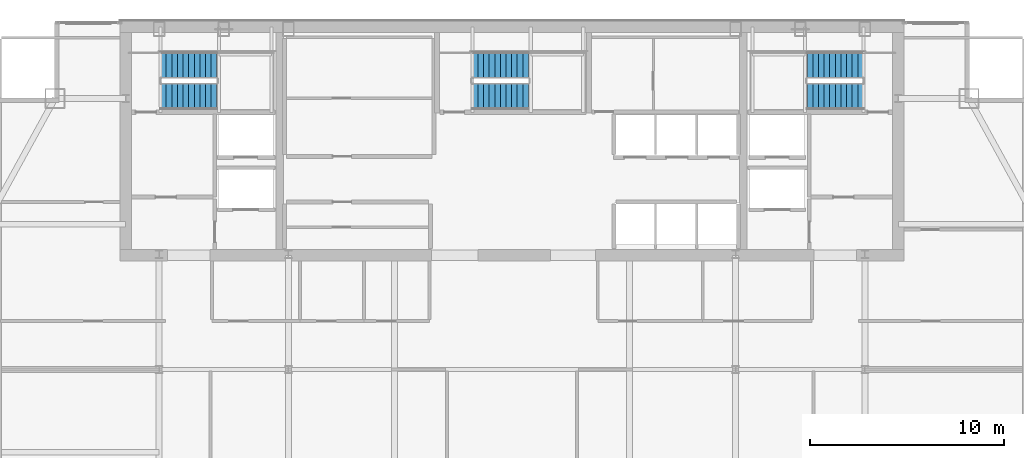
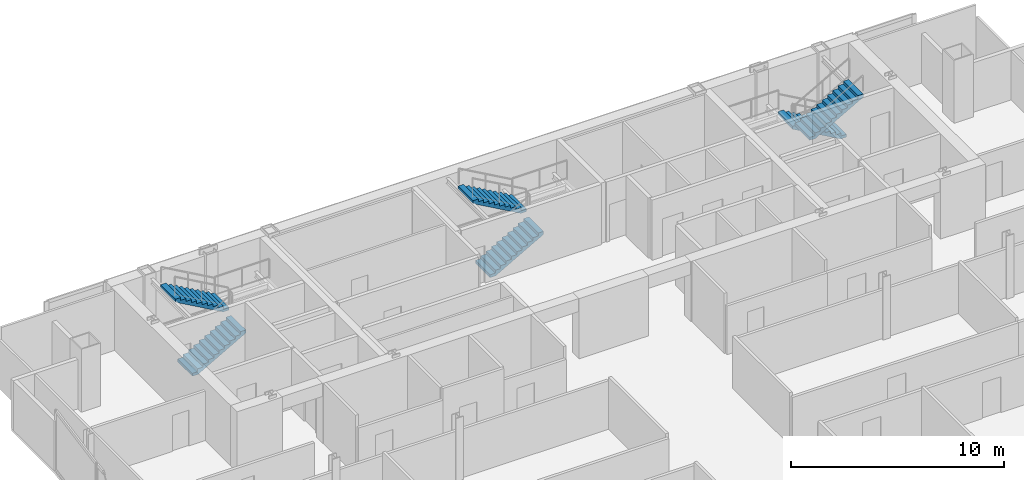
# One storey, part 27 of 29: 6 stair flights, 3 elements without a shape of their own.
"""IFC4 building model written with IfcOpenShell, lengths in metres."""

from ifc_helpers import new_model, si_unit, direction, frame, origin, place, context, subcontext, project, spatial, polyline, outline, extrude, material, type_object, element, aggregate, save


model = new_model("IFC4")

# Units and contexts
model_context = context("Model", 3, precision=1e-05, world=origin(), true_north=direction((0.0, 1.0)))
body_context = subcontext(model_context, "Body", "Model", "MODEL_VIEW")
ifc_project = project(units=[si_unit("LENGTHUNIT", "METRE"), si_unit("AREAUNIT", "SQUARE_METRE"), si_unit("VOLUMEUNIT", "CUBIC_METRE"), si_unit("PLANEANGLEUNIT", "RADIAN"), si_unit("MASSUNIT", "GRAM", prefix="KILO")], contexts=[model_context])

# Site, building, storey
site_placement = place(None, origin())
site = spatial("IfcSite", under=ifc_project, at=site_placement, CompositionType="ELEMENT")
building_placement = place(site_placement, origin())
building = spatial("IfcBuilding", under=site, at=building_placement, Name="Khoronbel Lancet Exchange", CompositionType="ELEMENT")
storey_placement = place(building_placement, frame((0.0, 0.0, 246.199951171875)))
storey = spatial("IfcBuildingStorey", under=building, at=storey_placement, Name="L63", CompositionType="ELEMENT", Elevation=246.199951171875)

# Stair, stair flights
ifc_material = material(Name="Concrete C40/50", Category="concrete")
stair_type = type_object("IfcStairType", Name="STR-CORE150", PredefinedType="HALF_TURN_STAIR", material=ifc_material)
stair_1_placement = place(storey_placement, origin())
stair_1 = element("IfcStair", 1, at=stair_1_placement, inside=storey, type_object=stair_type, Name="L63 Protected Exit Stair ST1", PredefinedType="HALF_TURN_STAIR")
stair_flight_type = type_object("IfcStairFlightType", Name="STF-150", PredefinedType="STRAIGHT", material=ifc_material)
stair_flight_1_placement = place(storey_placement, frame((18.300048828125, 49.81005859375, 0.0), z_axis=(0.0, 0.0, 1.0), x_axis=(1.0, 0.0, 0.0)))
stair_flight_1 = element("IfcStairFlight", 2, at=stair_flight_1_placement, type_object=stair_flight_type, Name="ST1 flight 1", NumberOfRisers=11, NumberOfTreads=10, PredefinedType="STRAIGHT", RiserHeight=0.163636364, TreadLength=0.29, context=body_context, shape_type="SweptSolid", body=[
    extrude(outline(polyline([(0.0, 0.0), (0.0, 0.16357421875), (0.2900390625, 0.16357421875), (0.2900390625, 0.327392578125), (0.580078125, 0.327392578125), (0.580078125, 0.490966796875), (0.8701171875, 0.490966796875), (0.8701171875, 0.654541015625), (1.159912109375, 0.654541015625), (1.159912109375, 0.818115234375), (1.449951171875, 0.818115234375), (1.449951171875, 0.98193359375), (1.739990234375, 0.98193359375), (1.739990234375, 1.1455078125), (2.030029296875, 1.1455078125), (2.030029296875, 1.30908203125), (2.320068359375, 1.30908203125), (2.320068359375, 1.47265625), (2.610107421875, 1.47265625), (2.610107421875, 1.636474609375), (2.89990234375, 1.636474609375), (2.89990234375, 1.800048828125), (2.89990234375, 1.46435546875), (0.304931640625, 0.0), (0.0, 0.0)])), frame((0.0, 0.68994140625, 0.0), z_axis=(0.0, -1.0, 0.0), x_axis=(1.0, 0.0, 0.0)), (0.0, 0.0, 1.0), 1.3798828125),
])
stair_flight_2_placement = place(storey_placement, frame((21.199951171875, 51.409912109375, 1.800048828125), z_axis=(0.0, 0.0, 1.0), x_axis=(-1.0, 0.0, 0.0)))
stair_flight_2 = element("IfcStairFlight", 3, at=stair_flight_2_placement, type_object=stair_flight_type, Name="ST1 flight 2", NumberOfRisers=11, NumberOfTreads=10, PredefinedType="STRAIGHT", RiserHeight=0.163636364, TreadLength=0.29, context=body_context, shape_type="SweptSolid", body=[
    extrude(outline(polyline([(0.0, 0.0), (0.0, 0.16357421875), (0.2900390625, 0.16357421875), (0.2900390625, 0.327392578125), (0.580078125, 0.327392578125), (0.580078125, 0.490966796875), (0.8701171875, 0.490966796875), (0.8701171875, 0.654541015625), (1.159912109375, 0.654541015625), (1.159912109375, 0.818115234375), (1.449951171875, 0.818115234375), (1.449951171875, 0.98193359375), (1.739990234375, 0.98193359375), (1.739990234375, 1.1455078125), (2.030029296875, 1.1455078125), (2.030029296875, 1.30908203125), (2.320068359375, 1.30908203125), (2.320068359375, 1.47265625), (2.610107421875, 1.47265625), (2.610107421875, 1.636474609375), (2.89990234375, 1.636474609375), (2.89990234375, 1.800048828125), (2.89990234375, 1.46435546875), (0.304931640625, 0.0), (0.0, 0.0)])), frame((0.0, 0.68994140625, 0.0), z_axis=(0.0, -1.0, 0.0), x_axis=(1.0, 0.0, 0.0)), (0.0, 0.0, 1.0), 1.3798828125),
])
aggregate(stair_1, [stair_flight_1, stair_flight_2])

stair_2_placement = place(storey_placement, origin())
stair_2 = element("IfcStair", 4, at=stair_2_placement, inside=storey, type_object=stair_type, Name="L63 Protected Exit Stair ST2", PredefinedType="HALF_TURN_STAIR")
stair_flight_3_placement = place(storey_placement, frame((54.60009765625, 51.409912109375, 0.0), z_axis=(0.0, 0.0, 1.0), x_axis=(-1.0, 0.0, 0.0)))
stair_flight_3 = element("IfcStairFlight", 5, at=stair_flight_3_placement, type_object=stair_flight_type, Name="ST2 flight 1", NumberOfRisers=11, NumberOfTreads=10, PredefinedType="STRAIGHT", RiserHeight=0.163636364, TreadLength=0.29, context=body_context, shape_type="SweptSolid", body=[
    extrude(outline(polyline([(0.0, 0.0), (0.0, 0.16357421875), (0.2900390625, 0.16357421875), (0.2900390625, 0.327392578125), (0.580078125, 0.327392578125), (0.580078125, 0.490966796875), (0.8701171875, 0.490966796875), (0.8701171875, 0.654541015625), (1.159912109375, 0.654541015625), (1.159912109375, 0.818115234375), (1.449951171875, 0.818115234375), (1.449951171875, 0.98193359375), (1.739990234375, 0.98193359375), (1.739990234375, 1.1455078125), (2.030029296875, 1.1455078125), (2.030029296875, 1.30908203125), (2.320068359375, 1.30908203125), (2.320068359375, 1.47265625), (2.610107421875, 1.47265625), (2.610107421875, 1.636474609375), (2.89990234375, 1.636474609375), (2.89990234375, 1.800048828125), (2.89990234375, 1.46435546875), (0.304931640625, 0.0), (0.0, 0.0)])), frame((0.0, 0.68994140625, 0.0), z_axis=(0.0, -1.0, 0.0), x_axis=(1.0, 0.0, 0.0)), (0.0, 0.0, 1.0), 1.3798828125),
])
stair_flight_4_placement = place(storey_placement, frame((51.699951171875, 49.81005859375, 1.800048828125), z_axis=(0.0, 0.0, 1.0), x_axis=(1.0, 0.0, 0.0)))
stair_flight_4 = element("IfcStairFlight", 6, at=stair_flight_4_placement, type_object=stair_flight_type, Name="ST2 flight 2", NumberOfRisers=11, NumberOfTreads=10, PredefinedType="STRAIGHT", RiserHeight=0.163636364, TreadLength=0.29, context=body_context, shape_type="SweptSolid", body=[
    extrude(outline(polyline([(0.0, 0.0), (0.0, 0.16357421875), (0.2900390625, 0.16357421875), (0.2900390625, 0.327392578125), (0.580078125, 0.327392578125), (0.580078125, 0.490966796875), (0.8701171875, 0.490966796875), (0.8701171875, 0.654541015625), (1.159912109375, 0.654541015625), (1.159912109375, 0.818115234375), (1.449951171875, 0.818115234375), (1.449951171875, 0.98193359375), (1.739990234375, 0.98193359375), (1.739990234375, 1.1455078125), (2.030029296875, 1.1455078125), (2.030029296875, 1.30908203125), (2.320068359375, 1.30908203125), (2.320068359375, 1.47265625), (2.610107421875, 1.47265625), (2.610107421875, 1.636474609375), (2.89990234375, 1.636474609375), (2.89990234375, 1.800048828125), (2.89990234375, 1.46435546875), (0.304931640625, 0.0), (0.0, 0.0)])), frame((0.0, 0.68994140625, 0.0), z_axis=(0.0, -1.0, 0.0), x_axis=(1.0, 0.0, 0.0)), (0.0, 0.0, 1.0), 1.3798828125),
])
aggregate(stair_2, [stair_flight_3, stair_flight_4])

stair_3_placement = place(storey_placement, origin())
stair_3 = element("IfcStair", 7, at=stair_3_placement, inside=storey, type_object=stair_type, Name="L63 Protected Exit Stair ST3", PredefinedType="HALF_TURN_STAIR")
stair_flight_5_placement = place(storey_placement, frame((34.39990234375, 49.81005859375, 0.0), z_axis=(0.0, 0.0, 1.0), x_axis=(1.0, 0.0, 0.0)))
stair_flight_5 = element("IfcStairFlight", 8, at=stair_flight_5_placement, type_object=stair_flight_type, Name="ST3 flight 1", NumberOfRisers=11, NumberOfTreads=10, PredefinedType="STRAIGHT", RiserHeight=0.163636364, TreadLength=0.29, context=body_context, shape_type="SweptSolid", body=[
    extrude(outline(polyline([(0.0, 0.0), (0.0, 0.16357421875), (0.2900390625, 0.16357421875), (0.2900390625, 0.327392578125), (0.580078125, 0.327392578125), (0.580078125, 0.490966796875), (0.8701171875, 0.490966796875), (0.8701171875, 0.654541015625), (1.159912109375, 0.654541015625), (1.159912109375, 0.818115234375), (1.449951171875, 0.818115234375), (1.449951171875, 0.98193359375), (1.739990234375, 0.98193359375), (1.739990234375, 1.1455078125), (2.030029296875, 1.1455078125), (2.030029296875, 1.30908203125), (2.320068359375, 1.30908203125), (2.320068359375, 1.47265625), (2.610107421875, 1.47265625), (2.610107421875, 1.636474609375), (2.89990234375, 1.636474609375), (2.89990234375, 1.800048828125), (2.89990234375, 1.46435546875), (0.304931640625, 0.0), (0.0, 0.0)])), frame((0.0, 0.68994140625, 0.0), z_axis=(0.0, -1.0, 0.0), x_axis=(1.0, 0.0, 0.0)), (0.0, 0.0, 1.0), 1.3798828125),
])
stair_flight_6_placement = place(storey_placement, frame((37.300048828125, 51.409912109375, 1.800048828125), z_axis=(0.0, 0.0, 1.0), x_axis=(-1.0, 0.0, 0.0)))
stair_flight_6 = element("IfcStairFlight", 9, at=stair_flight_6_placement, type_object=stair_flight_type, Name="ST3 flight 2", NumberOfRisers=11, NumberOfTreads=10, PredefinedType="STRAIGHT", RiserHeight=0.163636364, TreadLength=0.29, context=body_context, shape_type="SweptSolid", body=[
    extrude(outline(polyline([(0.0, 0.0), (0.0, 0.16357421875), (0.2900390625, 0.16357421875), (0.2900390625, 0.327392578125), (0.580078125, 0.327392578125), (0.580078125, 0.490966796875), (0.8701171875, 0.490966796875), (0.8701171875, 0.654541015625), (1.159912109375, 0.654541015625), (1.159912109375, 0.818115234375), (1.449951171875, 0.818115234375), (1.449951171875, 0.98193359375), (1.739990234375, 0.98193359375), (1.739990234375, 1.1455078125), (2.030029296875, 1.1455078125), (2.030029296875, 1.30908203125), (2.320068359375, 1.30908203125), (2.320068359375, 1.47265625), (2.610107421875, 1.47265625), (2.610107421875, 1.636474609375), (2.89990234375, 1.636474609375), (2.89990234375, 1.800048828125), (2.89990234375, 1.46435546875), (0.304931640625, 0.0), (0.0, 0.0)])), frame((0.0, 0.68994140625, 0.0), z_axis=(0.0, -1.0, 0.0), x_axis=(1.0, 0.0, 0.0)), (0.0, 0.0, 1.0), 1.3798828125),
])
aggregate(stair_3, [stair_flight_5, stair_flight_6])

save(model, "model.ifc")
